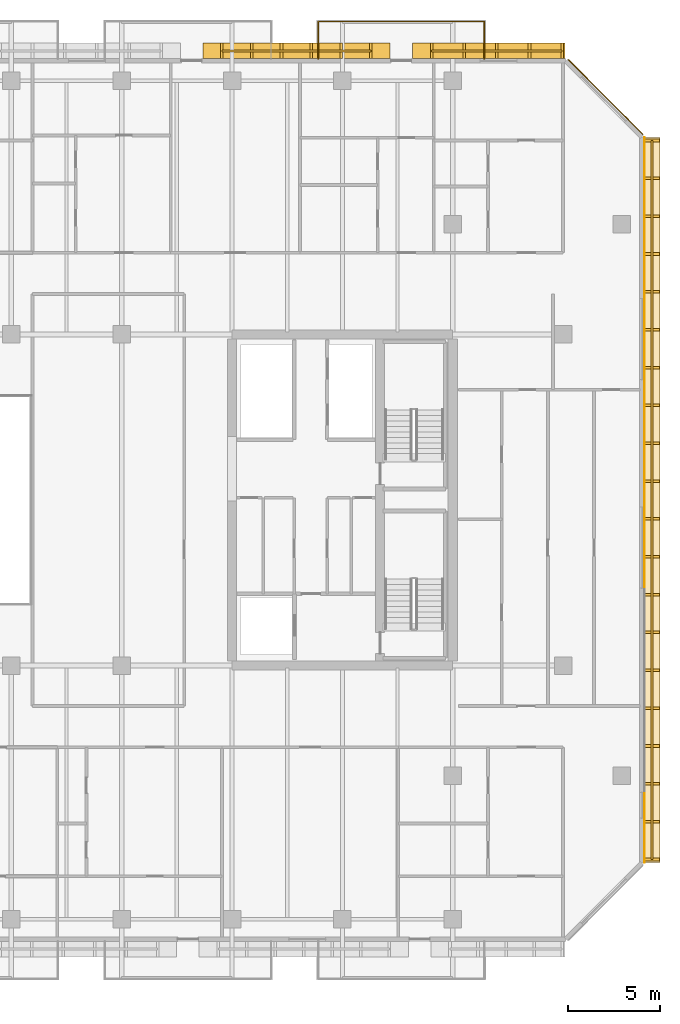
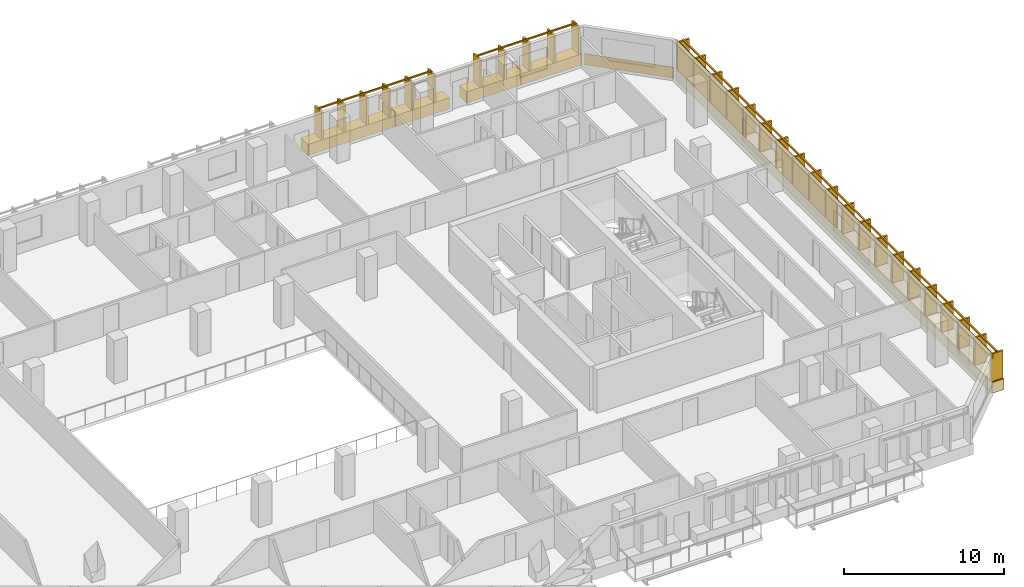
# One storey, part 23 of 23: 7 coverings, 4 railings.
"""IFC4 building model written with IfcOpenShell, lengths in metres."""

from ifc_helpers import new_model, si_unit, direction, frame, origin, origin_2d, place, context, subcontext, project, spatial, rectangle, extrude, material, layer, layer_set, type_object, element, save


model = new_model("IFC4")

# Units and contexts
model_context = context("Model", 3, precision=1e-05, world=origin(), true_north=direction((0.0, 1.0)))
body_context = subcontext(model_context, "Body", "Model", "MODEL_VIEW")
ifc_project = project(units=[si_unit("LENGTHUNIT", "METRE"), si_unit("AREAUNIT", "SQUARE_METRE"), si_unit("VOLUMEUNIT", "CUBIC_METRE"), si_unit("PLANEANGLEUNIT", "RADIAN"), si_unit("MASSUNIT", "GRAM", prefix="KILO")], contexts=[model_context])

# Site, building, storey
site_placement = place(None, origin())
site = spatial("IfcSite", under=ifc_project, at=site_placement, CompositionType="ELEMENT")
building_placement = place(site_placement, origin())
building = spatial("IfcBuilding", under=site, at=building_placement, Name="Tanjung Sevakor Pilgrim Tower", CompositionType="ELEMENT")
storey_placement = place(building_placement, frame((0.0, 0.0, 105.27001953125)))
storey = spatial("IfcBuildingStorey", under=building, at=storey_placement, Name="L29", CompositionType="ELEMENT", Elevation=105.27001953125)

# Coverings
ifc_material_1 = material(Name="Reconstructed Limestone Cladding", Category="masonry")
ifc_layer = layer(ifc_material_1, 0.044921875)
ifc_layer_set = layer_set([ifc_layer], Name="COV-CLAD-LIMESTONE")
covering_type = type_object("IfcCoveringType", Name="COV-CLAD-LIMESTONE", PredefinedType="CLADDING", material=ifc_layer_set)
covering_1_placement = place(storey_placement, frame((100.830078125, 33.60009765625, 0.009765625), z_axis=(0.0, 0.0, 1.0), x_axis=(0.0, 1.0, 0.0)))
element("IfcCovering", 1, at=covering_1_placement, inside=storey, type_object=covering_type, Name="L29 Warm Limestone Sill Spandrel EW-L29-MAIN-7-1", PredefinedType="CLADDING", context=body_context, shape_type="SweptSolid", body=[
    extrude(rectangle(XDim=39.41650390625, YDim=0.860107421875, at=origin_2d()), origin(), (0.0, 0.0, 1.0), 0.840087890625),
])
covering_2_placement = place(storey_placement, frame((100.422607421875, 33.60009765625, 2.66015625), z_axis=(0.0, 0.0, 1.0), x_axis=(0.0, 1.0, 0.0)))
element("IfcCovering", 2, at=covering_2_placement, inside=storey, type_object=covering_type, Name="L29 Warm Limestone Cornice Spandrel EW-L29-MAIN-7", PredefinedType="CLADDING", context=body_context, shape_type="SweptSolid", body=[
    extrude(rectangle(XDim=39.456298828125, YDim=0.044921875, at=origin_2d()), origin(), (0.0, 0.0, 1.0), 0.409912109375),
])
covering_3_placement = place(storey_placement, frame((100.422607421875, 36.679931640625, 0.849853515625), z_axis=(0.0, 0.0, 1.0), x_axis=(0.0, 1.0, 0.0)))
element("IfcCovering", 3, at=covering_3_placement, inside=storey, type_object=covering_type, Name="L29 Warm Limestone Pier Panel EW-L29-MAIN-7-2", PredefinedType="CLADDING", context=body_context, shape_type="SweptSolid", body=[
    extrude(rectangle(XDim=6.840087890625, YDim=0.044921875, at=origin_2d()), origin(), (0.0, 0.0, 1.0), 1.81005859375),
])
covering_4_placement = place(storey_placement, frame((100.422607421875, 48.9541015625, 0.849853515625), z_axis=(0.0, 0.0, 1.0), x_axis=(0.0, 1.0, 0.0)))
element("IfcCovering", 4, at=covering_4_placement, inside=storey, type_object=covering_type, Name="L29 Warm Limestone Pier Panel EW-L29-MAIN-7-3", PredefinedType="CLADDING", context=body_context, shape_type="SweptSolid", body=[
    extrude(rectangle(XDim=8.708251953125, YDim=0.044921875, at=origin_2d()), origin(), (0.0, 0.0, 1.0), 1.81005859375),
])
covering_5_placement = place(storey_placement, frame((98.31591796875, 55.515869140625, 0.009765625), z_axis=(0.0, 0.0, 1.0), x_axis=(-0.707106781187, 0.707106781187, 0.0)))
element("IfcCovering", 5, at=covering_5_placement, inside=storey, type_object=covering_type, Name="L29 Warm Limestone Sill Spandrel EW-CHM-L29-MAIN-7-1", PredefinedType="CLADDING", context=body_context, shape_type="SweptSolid", body=[
    extrude(rectangle(XDim=5.756103515625, YDim=0.044921875, at=origin_2d()), origin(), (0.0, 0.0, 1.0), 0.840087890625),
])
covering_6_placement = place(storey_placement, frame((91.958984375, 58.030029296875, 0.009765625), z_axis=(0.0, 0.0, 1.0), x_axis=(-1.0, 0.0, 0.0)))
element("IfcCovering", 6, at=covering_6_placement, inside=storey, type_object=covering_type, Name="L29 Warm Limestone Sill Spandrel EW-L29-MAIN-9-1", PredefinedType="CLADDING", context=body_context, shape_type="SweptSolid", body=[
    extrude(rectangle(XDim=8.298095703125, YDim=0.860107421875, at=origin_2d()), origin(), (0.0, 0.0, 1.0), 0.840087890625),
])
covering_7_placement = place(storey_placement, frame((81.5, 58.030029296875, 0.009765625), z_axis=(0.0, 0.0, 1.0), x_axis=(-1.0, 0.0, 0.0)))
element("IfcCovering", 7, at=covering_7_placement, inside=storey, type_object=covering_type, Name="L29 Warm Limestone Sill Spandrel EW-L29-MAIN-9-2", PredefinedType="CLADDING", context=body_context, shape_type="SweptSolid", body=[
    extrude(rectangle(XDim=10.179931640625, YDim=0.860107421875, at=origin_2d()), origin(), (0.0, 0.0, 1.0), 0.840087890625),
])

# Railings
ifc_material_2 = material(Name="Laminated Glass and Aluminium", Category="aluminium")
railing_type_1 = type_object("IfcRailingType", Name="RL-BAL-BALUST", PredefinedType="BALUSTRADE", material=ifc_material_2)
railing_1_placement = place(storey_placement, frame((82.679931640625, 57.60009765625, 0.0)))
element("IfcRailing", 8, at=railing_1_placement, inside=storey, type_object=railing_type_1, Name="L29 Loggia Balustrade MAIN-N4", PredefinedType="BALUSTRADE", context=body_context, shape_type="SweptSolid", body=[
    extrude(rectangle(XDim=0.0479, YDim=0.0479), frame((0.0, 0.0, 1.1259765625), z_axis=(0.0, 1.0, 0.0), x_axis=(-1.0, 0.0, 0.0)), (0.0, 0.0, 1.0), 2.02001953125),
    extrude(rectangle(XDim=0.0479, YDim=0.0479), frame((0.0, 2.02001953125, 1.1259765625), z_axis=(1.0, 0.0, 0.0), x_axis=(0.0, 1.0, 0.0)), (0.0, 0.0, 1.0), 9.0400390625),
    extrude(rectangle(XDim=0.0479, YDim=0.0479), frame((9.0400390625, 2.02001953125, 1.1259765625), z_axis=(0.0, -1.0, 0.0), x_axis=(1.0, 0.0, 0.0)), (0.0, 0.0, 1.0), 2.02001953125),
    extrude(rectangle(XDim=0.042, YDim=0.042), origin(), (0.0, 0.0, 1.0), 1.101806640625),
    extrude(rectangle(XDim=0.042, YDim=0.042), frame((0.0, 1.010009765625, 0.0)), (0.0, 0.0, 1.0), 1.101806640625),
    extrude(rectangle(XDim=0.042, YDim=0.042), frame((0.0, 2.02001953125, 0.0)), (0.0, 0.0, 1.0), 1.101806640625),
    extrude(rectangle(XDim=0.042, YDim=0.042), frame((1.29150390625, 2.02001953125, 0.0)), (0.0, 0.0, 1.0), 1.101806640625),
    extrude(rectangle(XDim=0.042, YDim=0.042), frame((2.582763671875, 2.02001953125, 0.0)), (0.0, 0.0, 1.0), 1.101806640625),
    extrude(rectangle(XDim=0.042, YDim=0.042), frame((3.874267578125, 2.02001953125, 0.0)), (0.0, 0.0, 1.0), 1.101806640625),
    extrude(rectangle(XDim=0.042, YDim=0.042), frame((5.165771484375, 2.02001953125, 0.0)), (0.0, 0.0, 1.0), 1.101806640625),
    extrude(rectangle(XDim=0.042, YDim=0.042), frame((6.457275390625, 2.02001953125, 0.0)), (0.0, 0.0, 1.0), 1.101806640625),
    extrude(rectangle(XDim=0.042, YDim=0.042), frame((7.74853515625, 2.02001953125, 0.0)), (0.0, 0.0, 1.0), 1.101806640625),
    extrude(rectangle(XDim=0.042, YDim=0.042), frame((9.0400390625, 2.02001953125, 0.0)), (0.0, 0.0, 1.0), 1.101806640625),
    extrude(rectangle(XDim=0.042, YDim=0.042), frame((9.0400390625, 1.010009765625, 0.0)), (0.0, 0.0, 1.0), 1.101806640625),
    extrude(rectangle(XDim=0.042, YDim=0.042), frame((9.0400390625, 0.0, 0.0)), (0.0, 0.0, 1.0), 1.101806640625),
])
ifc_material_3 = material(Name="Anodised Bronze Aluminium 6063-T6", Category="aluminium")
railing_type_2 = type_object("IfcRailingType", Name="RL-FIN-SCREEN", PredefinedType="BALUSTRADE", material=ifc_material_3)
railing_2_placement = place(storey_placement, frame((100.824951171875, 14.0517578125, 0.840087890625)))
element("IfcRailing", 9, at=railing_2_placement, inside=storey, type_object=railing_type_2, Name="L29 Vertical Bronze-Gold Solar Fin Screen FNEND-EW-L29-MAIN-7-1", PredefinedType="BALUSTRADE", context=body_context, shape_type="SweptSolid", body=[
    extrude(rectangle(XDim=0.105, YDim=0.105), frame((0.0, 0.0, 2.157470703125), z_axis=(0.0, 1.0, 0.0), x_axis=(-1.0, 0.0, 0.0)), (0.0, 0.0, 1.0), 39.096435546875),
    extrude(rectangle(XDim=0.85, YDim=0.14), origin(), (0.0, 0.0, 1.0), 2.10498046875),
    extrude(rectangle(XDim=0.85, YDim=0.14), frame((0.0, 2.0576171875, 0.0)), (0.0, 0.0, 1.0), 2.10498046875),
    extrude(rectangle(XDim=0.85, YDim=0.14), frame((0.0, 4.115478515625, 0.0)), (0.0, 0.0, 1.0), 2.10498046875),
    extrude(rectangle(XDim=0.85, YDim=0.14), frame((0.0, 6.173095703125, 0.0)), (0.0, 0.0, 1.0), 2.10498046875),
    extrude(rectangle(XDim=0.85, YDim=0.14), frame((0.0, 8.230712890625, 0.0)), (0.0, 0.0, 1.0), 2.10498046875),
    extrude(rectangle(XDim=0.85, YDim=0.14), frame((0.0, 10.28857421875, 0.0)), (0.0, 0.0, 1.0), 2.10498046875),
    extrude(rectangle(XDim=0.85, YDim=0.14), frame((0.0, 12.34619140625, 0.0)), (0.0, 0.0, 1.0), 2.10498046875),
    extrude(rectangle(XDim=0.85, YDim=0.14), frame((0.0, 14.404052734375, 0.0)), (0.0, 0.0, 1.0), 2.10498046875),
    extrude(rectangle(XDim=0.85, YDim=0.14), frame((0.0, 16.461669921875, 0.0)), (0.0, 0.0, 1.0), 2.10498046875),
    extrude(rectangle(XDim=0.85, YDim=0.14), frame((0.0, 18.519287109375, 0.0)), (0.0, 0.0, 1.0), 2.10498046875),
    extrude(rectangle(XDim=0.85, YDim=0.14), frame((0.0, 20.5771484375, 0.0)), (0.0, 0.0, 1.0), 2.10498046875),
    extrude(rectangle(XDim=0.85, YDim=0.14), frame((0.0, 22.634765625, 0.0)), (0.0, 0.0, 1.0), 2.10498046875),
    extrude(rectangle(XDim=0.85, YDim=0.14), frame((0.0, 24.6923828125, 0.0)), (0.0, 0.0, 1.0), 2.10498046875),
    extrude(rectangle(XDim=0.85, YDim=0.14), frame((0.0, 26.750244140625, 0.0)), (0.0, 0.0, 1.0), 2.10498046875),
    extrude(rectangle(XDim=0.85, YDim=0.14), frame((0.0, 28.807861328125, 0.0)), (0.0, 0.0, 1.0), 2.10498046875),
    extrude(rectangle(XDim=0.85, YDim=0.14), frame((0.0, 30.86572265625, 0.0)), (0.0, 0.0, 1.0), 2.10498046875),
    extrude(rectangle(XDim=0.85, YDim=0.14), frame((0.0, 32.92333984375, 0.0)), (0.0, 0.0, 1.0), 2.10498046875),
    extrude(rectangle(XDim=0.85, YDim=0.14), frame((0.0, 34.98095703125, 0.0)), (0.0, 0.0, 1.0), 2.10498046875),
    extrude(rectangle(XDim=0.85, YDim=0.14), frame((0.0, 37.038818359375, 0.0)), (0.0, 0.0, 1.0), 2.10498046875),
    extrude(rectangle(XDim=0.85, YDim=0.14), frame((0.0, 39.096435546875, 0.0)), (0.0, 0.0, 1.0), 2.10498046875),
])
railing_3_placement = place(storey_placement, frame((95.9482421875, 58.02490234375, 0.840087890625)))
element("IfcRailing", 10, at=railing_3_placement, inside=storey, type_object=railing_type_2, Name="L29 Vertical Bronze-Gold Solar Fin Screen FNSCR-EW-L29-MAIN-9-1", PredefinedType="BALUSTRADE", context=body_context, shape_type="SweptSolid", body=[
    extrude(rectangle(XDim=0.105, YDim=0.105), frame((0.0, 0.0, 2.157470703125), z_axis=(-1.0, 0.0, 0.0), x_axis=(0.0, -1.0, 0.0)), (0.0, 0.0, 1.0), 7.09814453125),
    extrude(rectangle(XDim=0.14, YDim=0.85), origin(), (0.0, 0.0, 1.0), 2.10498046875),
    extrude(rectangle(XDim=0.14, YDim=0.85), frame((-1.7744140625, 0.0, 0.0)), (0.0, 0.0, 1.0), 2.10498046875),
    extrude(rectangle(XDim=0.14, YDim=0.85), frame((-3.549072265625, 0.0, 0.0)), (0.0, 0.0, 1.0), 2.10498046875),
    extrude(rectangle(XDim=0.14, YDim=0.85), frame((-5.32373046875, 0.0, 0.0)), (0.0, 0.0, 1.0), 2.10498046875),
    extrude(rectangle(XDim=0.14, YDim=0.85), frame((-7.09814453125, 0.0, 0.0)), (0.0, 0.0, 1.0), 2.10498046875),
])
railing_4_placement = place(storey_placement, frame((85.550048828125, 58.02490234375, 0.840087890625)))
element("IfcRailing", 11, at=railing_4_placement, inside=storey, type_object=railing_type_2, Name="L29 Vertical Bronze-Gold Solar Fin Screen FNSCR-EW-L29-MAIN-9-2", PredefinedType="BALUSTRADE", context=body_context, shape_type="SweptSolid", body=[
    extrude(rectangle(XDim=0.105, YDim=0.105), frame((0.0, 0.0, 2.157470703125), z_axis=(-1.0, 0.0, 0.0), x_axis=(0.0, -1.0, 0.0)), (0.0, 0.0, 1.0), 8.10009765625),
    extrude(rectangle(XDim=0.14, YDim=0.85), origin(), (0.0, 0.0, 1.0), 2.10498046875),
    extrude(rectangle(XDim=0.14, YDim=0.85), frame((-1.6201171875, 0.0, 0.0)), (0.0, 0.0, 1.0), 2.10498046875),
    extrude(rectangle(XDim=0.14, YDim=0.85), frame((-3.239990234375, 0.0, 0.0)), (0.0, 0.0, 1.0), 2.10498046875),
    extrude(rectangle(XDim=0.14, YDim=0.85), frame((-4.860107421875, 0.0, 0.0)), (0.0, 0.0, 1.0), 2.10498046875),
    extrude(rectangle(XDim=0.14, YDim=0.85), frame((-6.47998046875, 0.0, 0.0)), (0.0, 0.0, 1.0), 2.10498046875),
    extrude(rectangle(XDim=0.14, YDim=0.85), frame((-8.10009765625, 0.0, 0.0)), (0.0, 0.0, 1.0), 2.10498046875),
])

save(model, "model.ifc")
